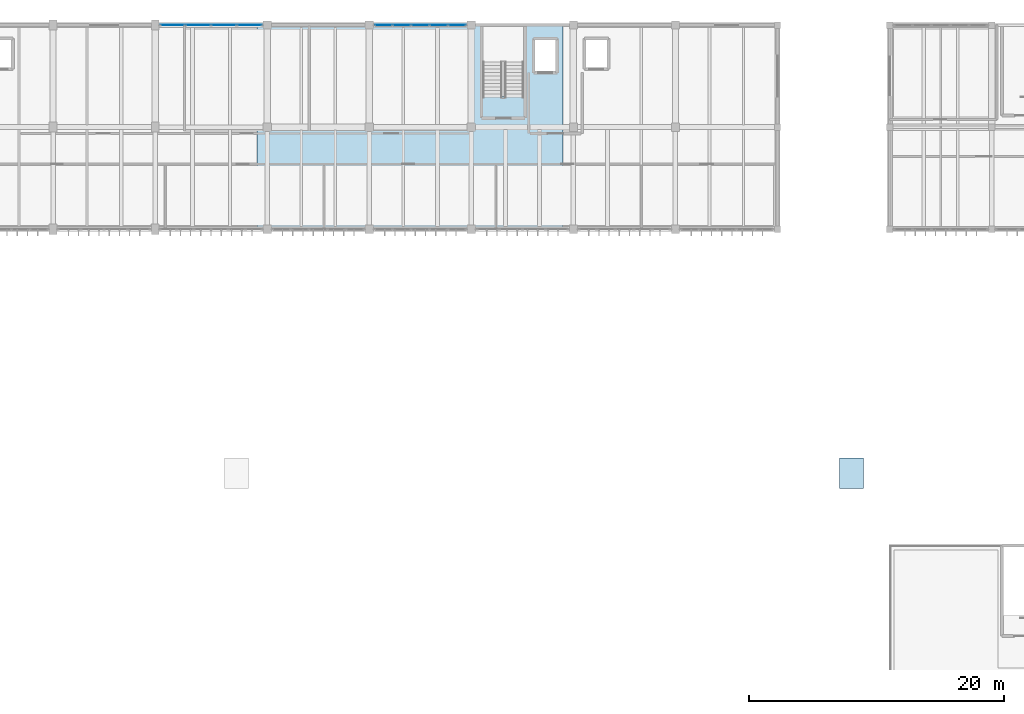
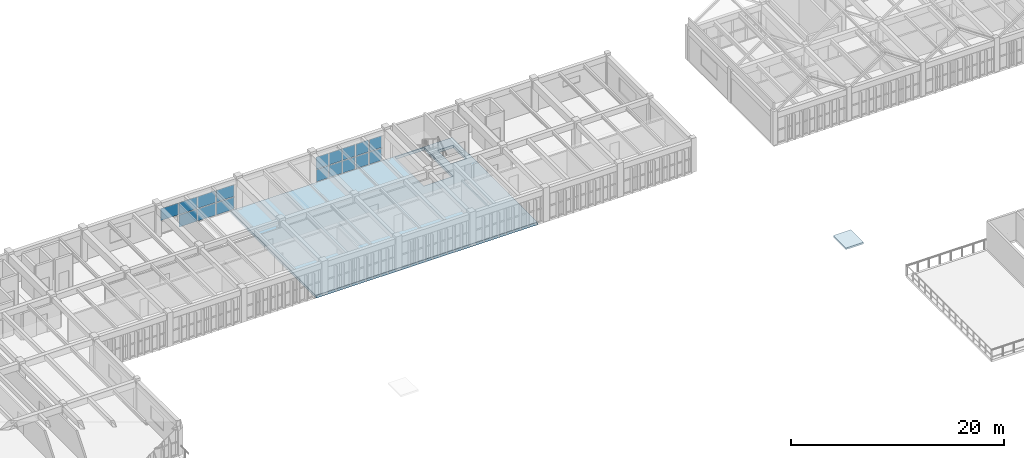
# One storey, part 16 of 31: 17 plates, 2 slabs, 2 elements without a shape of their own.
"""IFC4 building model written with IfcOpenShell, lengths in metres."""

from ifc_helpers import new_model, si_unit, direction, frame, origin, origin_2d, place, context, subcontext, project, spatial, polyline, rectangle, outline, extrude, material, layer, layer_set, type_object, element, aggregate, save


model = new_model("IFC4")

# Units and contexts
model_context = context("Model", 3, precision=1e-05, world=origin(), true_north=direction((0.0, 1.0)))
body_context = subcontext(model_context, "Body", "Model", "MODEL_VIEW")
ifc_project = project(units=[si_unit("LENGTHUNIT", "METRE"), si_unit("AREAUNIT", "SQUARE_METRE"), si_unit("VOLUMEUNIT", "CUBIC_METRE"), si_unit("PLANEANGLEUNIT", "RADIAN"), si_unit("MASSUNIT", "GRAM", prefix="KILO")], contexts=[model_context])

# Site, building, storey
site_placement = place(None, origin())
site = spatial("IfcSite", under=ifc_project, at=site_placement, CompositionType="ELEMENT")
building_placement = place(site_placement, origin())
building = spatial("IfcBuilding", under=site, at=building_placement, Name="Tlaxcora Railside Police Headquarters", CompositionType="ELEMENT")
storey_placement = place(building_placement, frame((0.0, 0.0, 18.0)))
storey = spatial("IfcBuildingStorey", under=building, at=storey_placement, Name="L04", CompositionType="ELEMENT", Elevation=18.0)

# Curtain wall, plates
ifc_material_1 = material(Name="Thermally broken low-E insulated glazing", Category="glass")
curtain_wall_type_1 = type_object("IfcCurtainWallType", Name="Unitised Curtain Wall Assembly CW-15", PredefinedType="NOTDEFINED", material=ifc_material_1)
curtain_wall_1_placement = place(storey_placement, origin())
curtain_wall_1 = element("IfcCurtainWall", 1, at=curtain_wall_1_placement, inside=storey, type_object=curtain_wall_type_1, Name="V5 L04 curtain wall 98", PredefinedType="NOTDEFINED")
ifc_layer_1 = layer(ifc_material_1, 0.031982421875, Name="Thermally broken low-E insulated glazing")
ifc_layer_set_1 = layer_set([ifc_layer_1], Name="Thermally broken low-E insulated glazing")
plate_type_1 = type_object("IfcPlateType", Name="Curtain Wall Infill Panel CW-41", PredefinedType="CURTAIN_PANEL", material=ifc_layer_set_1)
plate_1_placement = place(storey_placement, frame((68.88134765625, 92.800048828125, 0.0751953125), z_axis=(0.0, 0.0, 1.0), x_axis=(-1.0, 0.0, 0.0)))
plate_1 = element("IfcPlate", 2, at=plate_1_placement, type_object=plate_type_1, Name="CW panel 1.1", PredefinedType="CURTAIN_PANEL", context=body_context, shape_type="SweptSolid", body=[
    extrude(rectangle(XDim=1.33740234375, YDim=0.031982421875, at=origin_2d()), origin(), (0.0, 0.0, 1.0), 1.382568359375),
])
plate_2_placement = place(storey_placement, frame((68.88134765625, 92.800048828125, 1.53271484375), z_axis=(0.0, 0.0, 1.0), x_axis=(-1.0, 0.0, 0.0)))
plate_2 = element("IfcPlate", 3, at=plate_2_placement, type_object=plate_type_1, Name="CW panel 1.2", PredefinedType="CURTAIN_PANEL", context=body_context, shape_type="SweptSolid", body=[
    extrude(rectangle(XDim=1.33740234375, YDim=0.031982421875, at=origin_2d()), origin(), (0.0, 0.0, 1.0), 1.362548828125),
])
plate_3_placement = place(storey_placement, frame((67.449951171875, 92.800048828125, 0.0751953125), z_axis=(0.0, 0.0, 1.0), x_axis=(-1.0, 0.0, 0.0)))
plate_3 = element("IfcPlate", 4, at=plate_3_placement, type_object=plate_type_1, Name="CW panel 2.1", PredefinedType="CURTAIN_PANEL", context=body_context, shape_type="SweptSolid", body=[
    extrude(rectangle(XDim=1.375, YDim=0.031982421875, at=origin_2d()), origin(), (0.0, 0.0, 1.0), 1.382568359375),
])
plate_4_placement = place(storey_placement, frame((67.449951171875, 92.800048828125, 1.53271484375), z_axis=(0.0, 0.0, 1.0), x_axis=(-1.0, 0.0, 0.0)))
plate_4 = element("IfcPlate", 5, at=plate_4_placement, type_object=plate_type_1, Name="CW panel 2.2", PredefinedType="CURTAIN_PANEL", context=body_context, shape_type="SweptSolid", body=[
    extrude(rectangle(XDim=1.375, YDim=0.031982421875, at=origin_2d()), origin(), (0.0, 0.0, 1.0), 1.362548828125),
])
plate_5_placement = place(storey_placement, frame((66.0, 92.800048828125, 0.0751953125), z_axis=(0.0, 0.0, 1.0), x_axis=(-1.0, 0.0, 0.0)))
plate_5 = element("IfcPlate", 6, at=plate_5_placement, type_object=plate_type_1, Name="CW panel 3.1", PredefinedType="CURTAIN_PANEL", context=body_context, shape_type="SweptSolid", body=[
    extrude(rectangle(XDim=1.375, YDim=0.031982421875, at=origin_2d()), origin(), (0.0, 0.0, 1.0), 1.382568359375),
])
plate_6_placement = place(storey_placement, frame((66.0, 92.800048828125, 1.53271484375), z_axis=(0.0, 0.0, 1.0), x_axis=(-1.0, 0.0, 0.0)))
plate_6 = element("IfcPlate", 7, at=plate_6_placement, type_object=plate_type_1, Name="CW panel 3.2", PredefinedType="CURTAIN_PANEL", context=body_context, shape_type="SweptSolid", body=[
    extrude(rectangle(XDim=1.375, YDim=0.031982421875, at=origin_2d()), origin(), (0.0, 0.0, 1.0), 1.362548828125),
])
plate_7_placement = place(storey_placement, frame((64.550048828125, 92.800048828125, 0.0751953125), z_axis=(0.0, 0.0, 1.0), x_axis=(-1.0, 0.0, 0.0)))
plate_7 = element("IfcPlate", 8, at=plate_7_placement, type_object=plate_type_1, Name="CW panel 4.1", PredefinedType="CURTAIN_PANEL", context=body_context, shape_type="SweptSolid", body=[
    extrude(rectangle(XDim=1.375, YDim=0.031982421875, at=origin_2d()), origin(), (0.0, 0.0, 1.0), 1.382568359375),
])
plate_8_placement = place(storey_placement, frame((64.550048828125, 92.800048828125, 1.53271484375), z_axis=(0.0, 0.0, 1.0), x_axis=(-1.0, 0.0, 0.0)))
plate_8 = element("IfcPlate", 9, at=plate_8_placement, type_object=plate_type_1, Name="CW panel 4.2", PredefinedType="CURTAIN_PANEL", context=body_context, shape_type="SweptSolid", body=[
    extrude(rectangle(XDim=1.375, YDim=0.031982421875, at=origin_2d()), origin(), (0.0, 0.0, 1.0), 1.362548828125),
])
plate_9_placement = place(storey_placement, frame((63.11865234375, 92.800048828125, 0.0751953125), z_axis=(0.0, 0.0, 1.0), x_axis=(-1.0, 0.0, 0.0)))
plate_9 = element("IfcPlate", 10, at=plate_9_placement, type_object=plate_type_1, Name="CW panel 5.1", PredefinedType="CURTAIN_PANEL", context=body_context, shape_type="SweptSolid", body=[
    extrude(rectangle(XDim=1.33740234375, YDim=0.031982421875, at=origin_2d()), origin(), (0.0, 0.0, 1.0), 1.382568359375),
])
plate_10_placement = place(storey_placement, frame((63.11865234375, 92.800048828125, 1.53271484375), z_axis=(0.0, 0.0, 1.0), x_axis=(-1.0, 0.0, 0.0)))
plate_10 = element("IfcPlate", 11, at=plate_10_placement, type_object=plate_type_1, Name="CW panel 5.2", PredefinedType="CURTAIN_PANEL", context=body_context, shape_type="SweptSolid", body=[
    extrude(rectangle(XDim=1.33740234375, YDim=0.031982421875, at=origin_2d()), origin(), (0.0, 0.0, 1.0), 1.362548828125),
])
aggregate(curtain_wall_1, [plate_1, plate_2, plate_3, plate_4, plate_5, plate_6, plate_7, plate_8, plate_9, plate_10])

curtain_wall_type_2 = type_object("IfcCurtainWallType", Name="Unitised Curtain Wall Assembly CW-83", PredefinedType="NOTDEFINED", material=ifc_material_1)
curtain_wall_2_placement = place(storey_placement, origin())
curtain_wall_2 = element("IfcCurtainWall", 12, at=curtain_wall_2_placement, inside=storey, type_object=curtain_wall_type_2, Name="V5 L04 curtain wall 99", PredefinedType="NOTDEFINED")
ifc_layer_2 = layer(ifc_material_1, 0.035888671875, Name="Thermally broken low-E insulated glazing")
ifc_layer_set_2 = layer_set([ifc_layer_2], Name="Thermally broken low-E insulated glazing")
plate_type_2 = type_object("IfcPlateType", Name="Curtain Wall Infill Panel CW-72", PredefinedType="CURTAIN_PANEL", material=ifc_layer_set_2)
plate_11_placement = place(storey_placement, frame((52.595703125, 92.800048828125, 0.080078125), z_axis=(0.0, 0.0, 1.0), x_axis=(-1.0, 0.0, 0.0)))
plate_11 = element("IfcPlate", 13, at=plate_11_placement, type_object=plate_type_2, Name="CW panel 1.1", PredefinedType="CURTAIN_PANEL", context=body_context, shape_type="SweptSolid", body=[
    extrude(rectangle(XDim=1.898681640625, YDim=0.035888671875, at=origin_2d()), origin(), (0.0, 0.0, 1.0), 1.375),
])
plate_12_placement = place(storey_placement, frame((52.595703125, 92.800048828125, 1.534912109375), z_axis=(0.0, 0.0, 1.0), x_axis=(-1.0, 0.0, 0.0)))
plate_12 = element("IfcPlate", 14, at=plate_12_placement, type_object=plate_type_2, Name="CW panel 1.2", PredefinedType="CURTAIN_PANEL", context=body_context, shape_type="SweptSolid", body=[
    extrude(rectangle(XDim=1.898681640625, YDim=0.035888671875, at=origin_2d()), origin(), (0.0, 0.0, 1.0), 1.35498046875),
])
plate_13_placement = place(storey_placement, frame((50.596923828125, 92.800048828125, 0.080078125), z_axis=(0.0, 0.0, 1.0), x_axis=(-1.0, 0.0, 0.0)))
plate_13 = element("IfcPlate", 15, at=plate_13_placement, type_object=plate_type_2, Name="CW panel 2.1", PredefinedType="CURTAIN_PANEL", context=body_context, shape_type="SweptSolid", body=[
    extrude(rectangle(XDim=1.938720703125, YDim=0.035888671875, at=origin_2d()), origin(), (0.0, 0.0, 1.0), 1.375),
])
plate_14_placement = place(storey_placement, frame((50.596923828125, 92.800048828125, 1.534912109375), z_axis=(0.0, 0.0, 1.0), x_axis=(-1.0, 0.0, 0.0)))
plate_14 = element("IfcPlate", 16, at=plate_14_placement, type_object=plate_type_2, Name="CW panel 2.2", PredefinedType="CURTAIN_PANEL", context=body_context, shape_type="SweptSolid", body=[
    extrude(rectangle(XDim=1.938720703125, YDim=0.035888671875, at=origin_2d()), origin(), (0.0, 0.0, 1.0), 1.35498046875),
])
plate_15_placement = place(storey_placement, frame((48.578125, 92.800048828125, 0.080078125), z_axis=(0.0, 0.0, 1.0), x_axis=(-1.0, 0.0, 0.0)))
plate_15 = element("IfcPlate", 17, at=plate_15_placement, type_object=plate_type_2, Name="CW panel 3.1", PredefinedType="CURTAIN_PANEL", context=body_context, shape_type="SweptSolid", body=[
    extrude(rectangle(XDim=1.938720703125, YDim=0.035888671875, at=origin_2d()), origin(), (0.0, 0.0, 1.0), 1.375),
])
plate_16_placement = place(storey_placement, frame((48.578125, 92.800048828125, 1.534912109375), z_axis=(0.0, 0.0, 1.0), x_axis=(-1.0, 0.0, 0.0)))
plate_16 = element("IfcPlate", 18, at=plate_16_placement, type_object=plate_type_2, Name="CW panel 3.2", PredefinedType="CURTAIN_PANEL", context=body_context, shape_type="SweptSolid", body=[
    extrude(rectangle(XDim=1.938720703125, YDim=0.035888671875, at=origin_2d()), origin(), (0.0, 0.0, 1.0), 1.35498046875),
])
plate_17_placement = place(storey_placement, frame((46.579345703125, 92.800048828125, 1.534912109375), z_axis=(0.0, 0.0, 1.0), x_axis=(-1.0, 0.0, 0.0)))
plate_17 = element("IfcPlate", 19, at=plate_17_placement, type_object=plate_type_2, Name="CW panel 4.2", PredefinedType="CURTAIN_PANEL", context=body_context, shape_type="SweptSolid", body=[
    extrude(rectangle(XDim=1.898681640625, YDim=0.035888671875, at=origin_2d()), origin(), (0.0, 0.0, 1.0), 1.35498046875),
])
aggregate(curtain_wall_2, [plate_11, plate_12, plate_13, plate_14, plate_15, plate_16, plate_17])

# Slabs
ifc_material_2 = material(Name="Concrete C40/50", Category="concrete")
ifc_layer_3 = layer(ifc_material_2, 0.179931640625, Name="Concrete C40/50")
ifc_layer_set_3 = layer_set([ifc_layer_3], Name="Concrete C40/50")
slab_type_1 = type_object("IfcSlabType", Name="Folded or Flat Roof Slab SL-50", PredefinedType="ROOF", material=ifc_layer_set_3)
slab_1_placement = place(storey_placement, frame((0.0, 0.0, 1.60009765625)))
element("IfcSlab", 20, at=slab_1_placement, inside=storey, type_object=slab_type_1, Name="Lift PL-05 shaft overrun cap slab", PredefinedType="ROOF", context=body_context, shape_type="SweptSolid", body=[
    extrude(outline(polyline([(98.860107421875, 56.4599609375), (100.739990234375, 56.4599609375), (100.739990234375, 58.840087890625), (98.860107421875, 58.840087890625), (98.860107421875, 56.4599609375)])), origin(), (0.0, 0.0, 1.0), 0.179931640625),
])
ifc_layer_4 = layer(ifc_material_2, 0.31005859375, Name="Concrete C40/50")
ifc_layer_set_4 = layer_set([ifc_layer_4], Name="Concrete C40/50")
slab_type_2 = type_object("IfcSlabType", Name="Suspended Floor Slab SL-37", PredefinedType="FLOOR", material=ifc_layer_set_4)
slab_2_placement = place(storey_placement, frame((0.0, 0.0, -0.31005859375)))
element("IfcSlab", 21, at=slab_2_placement, inside=storey, type_object=slab_type_2, Name="V5 L04 floor slab zone 3", PredefinedType="FLOOR", context=body_context, shape_type="SweptSolid", body=[
    extrude(outline(polyline([(77.199951171875, 92.800048828125), (53.199951171875, 92.800048828125), (53.199951171875, 76.800048828125), (77.199951171875, 76.800048828125), (77.199951171875, 92.800048828125)]), holes=[polyline([(70.909912109375, 92.68994140625), (74.110107421875, 92.68994140625), (74.110107421875, 87.25), (70.909912109375, 87.25), (70.909912109375, 92.68994140625)]), polyline([(76.64990234375, 91.64990234375), (76.64990234375, 89.14990234375), (74.949951171875, 89.14990234375), (74.949951171875, 91.64990234375), (76.64990234375, 91.64990234375)])]), origin(), (0.0, 0.0, 1.0), 0.31005859375),
])

save(model, "model.ifc")
